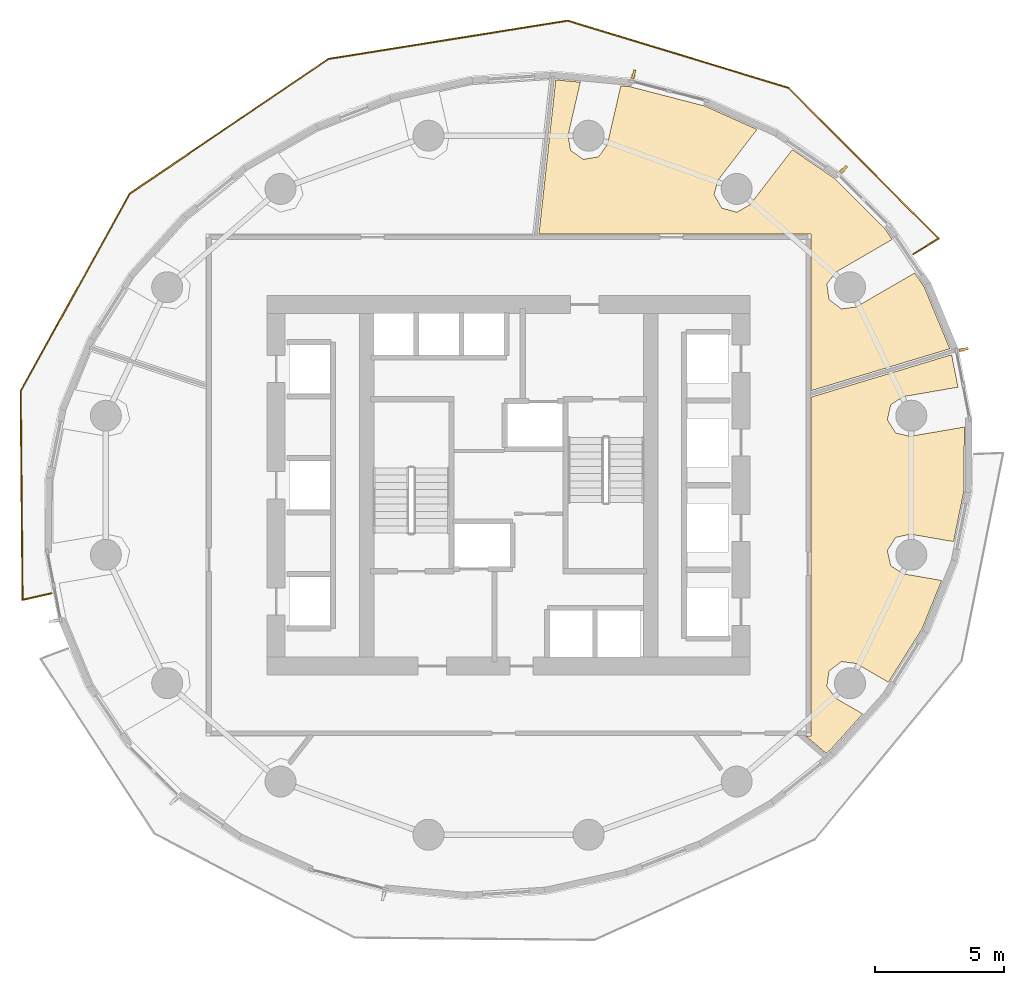
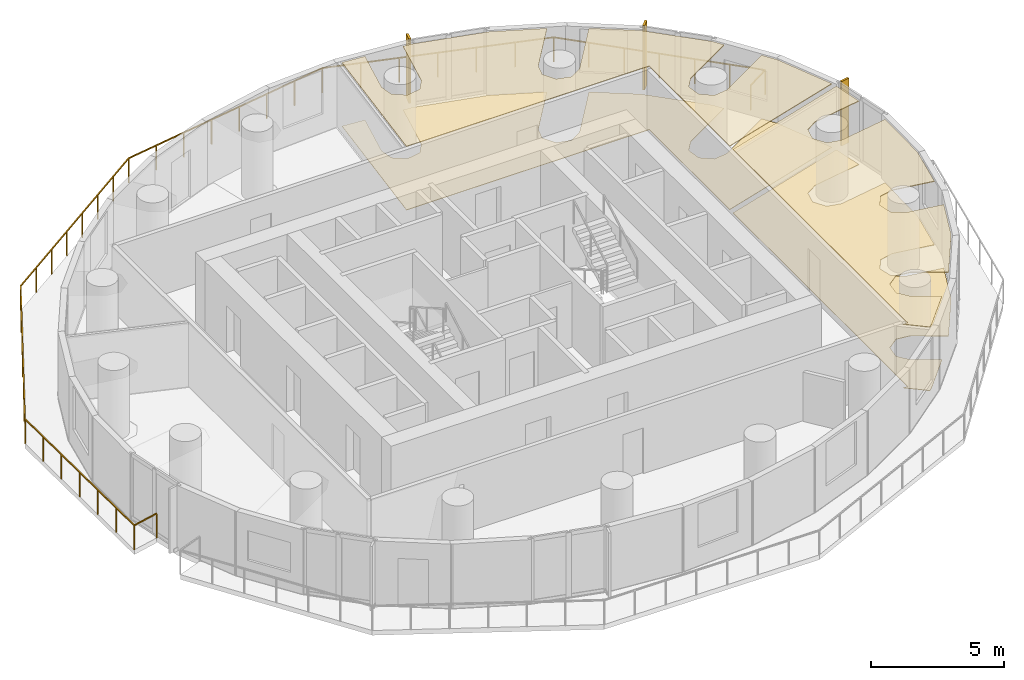
# One storey, part 10 of 10: 4 coverings, 3 shading devices, 1 railing.
"""IFC4 building model written with IfcOpenShell, lengths in metres."""

from ifc_helpers import new_model, si_unit, direction, frame, origin, origin_2d, place, context, subcontext, project, spatial, polyline, rectangle, outline, extrude, material, layer, layer_set, type_object, element, save


model = new_model("IFC4")

# Units and contexts
model_context = context("Model", 3, precision=1e-05, world=origin(), true_north=direction((0.0, 1.0)))
body_context = subcontext(model_context, "Body", "Model", "MODEL_VIEW")
ifc_project = project(units=[si_unit("LENGTHUNIT", "METRE"), si_unit("AREAUNIT", "SQUARE_METRE"), si_unit("VOLUMEUNIT", "CUBIC_METRE"), si_unit("PLANEANGLEUNIT", "RADIAN"), si_unit("MASSUNIT", "GRAM", prefix="KILO")], contexts=[model_context])

# Site, building, storey
site_placement = place(None, origin())
site = spatial("IfcSite", under=ifc_project, at=site_placement, CompositionType="ELEMENT")
building_placement = place(site_placement, origin())
building = spatial("IfcBuilding", under=site, at=building_placement, Name="Veldorim Arch Residences", CompositionType="ELEMENT")
storey_placement = place(building_placement, frame((0.0, 0.0, 70.8798828125)))
storey = spatial("IfcBuildingStorey", under=building, at=storey_placement, Name="L20", CompositionType="ELEMENT", Elevation=70.8798828125)

# Railing
ifc_material_1 = material(Name="Aluminium", Category="aluminium")
railing_type = type_object("IfcRailingType", Name="Balcony & Terrace Laminated Glass Balustrade 1150", PredefinedType="BALUSTRADE", material=ifc_material_1)
railing_placement = place(storey_placement, frame((47.677490234375, 32.951416015625, 0.0)))
element("IfcRailing", 1, at=railing_placement, inside=storey, type_object=railing_type, Name="L20 crescent balcony safety balustrade A", PredefinedType="BALUSTRADE", context=body_context, shape_type="SweptSolid", body=[
    extrude(rectangle(XDim=0.048095703125, YDim=0.048095703125, at=origin_2d()), frame((0.0, 0.0, 1.1259765625), z_axis=(0.8517457759, 0.523955277897, 0.0), x_axis=(-0.523955277897, 0.8517457759, 0.0)), (0.0, 0.0, 1.0), 1.14990234375),
    extrude(rectangle(XDim=0.048095703125, YDim=0.048095703125, at=origin_2d()), frame((0.9794921875, 0.6025390625, 1.1259765625), z_axis=(-0.705905696487, 0.708305829192, 0.0), x_axis=(-0.708305829192, -0.705905696487, 0.0)), (0.0, 0.0, 1.0), 8.2392578125),
    extrude(rectangle(XDim=0.048095703125, YDim=0.048095703125, at=origin_2d()), frame((-4.836669921875, 6.4384765625, 1.1259765625), z_axis=(-0.956697363507, 0.291084445923, 0.0), x_axis=(-0.291084445923, -0.956697363507, 0.0)), (0.0, 0.0, 1.0), 8.938232421875),
    extrude(rectangle(XDim=0.048095703125, YDim=0.048095703125, at=origin_2d()), frame((-13.387939453125, 9.040283203125, 1.1259765625), z_axis=(-0.987436410675, -0.158016881611, 0.0), x_axis=(0.158016881611, -0.987436410675, 0.0)), (0.0, 0.0, 1.0), 9.384521484375),
    extrude(rectangle(XDim=0.048095703125, YDim=0.048095703125, at=origin_2d()), frame((-22.654541015625, 7.557373046875, 1.1259765625), z_axis=(-0.827651413411, -0.561242494719, 0.0), x_axis=(0.561242494719, -0.827651413411, 0.0)), (0.0, 0.0, 1.0), 9.29345703125),
    extrude(rectangle(XDim=0.048095703125, YDim=0.048095703125, at=origin_2d()), frame((-30.34619140625, 2.341552734375, 1.1259765625), z_axis=(-0.483930673945, -0.875106338004, 0.0), x_axis=(0.875106338004, -0.483930673945, 0.0)), (0.0, 0.0, 1.0), 8.7333984375),
    extrude(rectangle(XDim=0.048095703125, YDim=0.048095703125, at=origin_2d()), frame((-34.572509765625, -5.301025390625, 1.1259765625), z_axis=(0.009021417915, -0.999959306181, 0.0), x_axis=(0.999959306181, 0.009021417915, 0.0)), (0.0, 0.0, 1.0), 8.091552734375),
    extrude(rectangle(XDim=0.048095703125, YDim=0.048095703125, at=origin_2d()), frame((-34.49951171875, -13.392333984375, 1.1259765625), z_axis=(0.975218298036, 0.221244821806, 0.0), x_axis=(-0.221244821806, 0.975218298036, 0.0)), (0.0, 0.0, 1.0), 1.14990234375),
    extrude(rectangle(XDim=0.0419921875, YDim=0.0419921875, at=origin_2d()), origin(), (0.0, 0.0, 1.0), 1.101806640625),
    extrude(rectangle(XDim=0.0419921875, YDim=0.0419921875, at=origin_2d()), frame((0.9794921875, 0.6025390625, 0.0)), (0.0, 0.0, 1.0), 1.101806640625),
    extrude(rectangle(XDim=0.0419921875, YDim=0.0419921875, at=origin_2d()), frame((0.01025390625, 1.5751953125, 0.0)), (0.0, 0.0, 1.0), 1.101806640625),
    extrude(rectangle(XDim=0.0419921875, YDim=0.0419921875, at=origin_2d()), frame((-0.959228515625, 2.5478515625, 0.0)), (0.0, 0.0, 1.0), 1.101806640625),
    extrude(rectangle(XDim=0.0419921875, YDim=0.0419921875, at=origin_2d()), frame((-1.9287109375, 3.5205078125, 0.0)), (0.0, 0.0, 1.0), 1.101806640625),
    extrude(rectangle(XDim=0.0419921875, YDim=0.0419921875, at=origin_2d()), frame((-2.89794921875, 4.4931640625, 0.0)), (0.0, 0.0, 1.0), 1.101806640625),
    extrude(rectangle(XDim=0.0419921875, YDim=0.0419921875, at=origin_2d()), frame((-3.8671875, 5.4658203125, 0.0)), (0.0, 0.0, 1.0), 1.101806640625),
    extrude(rectangle(XDim=0.0419921875, YDim=0.0419921875, at=origin_2d()), frame((-4.836669921875, 6.4384765625, 0.0)), (0.0, 0.0, 1.0), 1.101806640625),
    extrude(rectangle(XDim=0.0419921875, YDim=0.0419921875, at=origin_2d()), frame((-6.261962890625, 6.8720703125, 0.0)), (0.0, 0.0, 1.0), 1.101806640625),
    extrude(rectangle(XDim=0.0419921875, YDim=0.0419921875, at=origin_2d()), frame((-7.68701171875, 7.3056640625, 0.0)), (0.0, 0.0, 1.0), 1.101806640625),
    extrude(rectangle(XDim=0.0419921875, YDim=0.0419921875, at=origin_2d()), frame((-9.1123046875, 7.7392578125, 0.0)), (0.0, 0.0, 1.0), 1.101806640625),
    extrude(rectangle(XDim=0.0419921875, YDim=0.0419921875, at=origin_2d()), frame((-10.53759765625, 8.173095703125, 0.0)), (0.0, 0.0, 1.0), 1.101806640625),
    extrude(rectangle(XDim=0.0419921875, YDim=0.0419921875, at=origin_2d()), frame((-11.962646484375, 8.606689453125, 0.0)), (0.0, 0.0, 1.0), 1.101806640625),
    extrude(rectangle(XDim=0.0419921875, YDim=0.0419921875, at=origin_2d()), frame((-13.387939453125, 9.040283203125, 0.0)), (0.0, 0.0, 1.0), 1.101806640625),
    extrude(rectangle(XDim=0.0419921875, YDim=0.0419921875, at=origin_2d()), frame((-14.711669921875, 8.828369140625, 0.0)), (0.0, 0.0, 1.0), 1.101806640625),
    extrude(rectangle(XDim=0.0419921875, YDim=0.0419921875, at=origin_2d()), frame((-16.03564453125, 8.61669921875, 0.0)), (0.0, 0.0, 1.0), 1.101806640625),
    extrude(rectangle(XDim=0.0419921875, YDim=0.0419921875, at=origin_2d()), frame((-17.359375, 8.40478515625, 0.0)), (0.0, 0.0, 1.0), 1.101806640625),
    extrude(rectangle(XDim=0.0419921875, YDim=0.0419921875, at=origin_2d()), frame((-18.68310546875, 8.19287109375, 0.0)), (0.0, 0.0, 1.0), 1.101806640625),
    extrude(rectangle(XDim=0.0419921875, YDim=0.0419921875, at=origin_2d()), frame((-20.0068359375, 7.98095703125, 0.0)), (0.0, 0.0, 1.0), 1.101806640625),
    extrude(rectangle(XDim=0.0419921875, YDim=0.0419921875, at=origin_2d()), frame((-21.330810546875, 7.769287109375, 0.0)), (0.0, 0.0, 1.0), 1.101806640625),
    extrude(rectangle(XDim=0.0419921875, YDim=0.0419921875, at=origin_2d()), frame((-22.654541015625, 7.557373046875, 0.0)), (0.0, 0.0, 1.0), 1.101806640625),
    extrude(rectangle(XDim=0.0419921875, YDim=0.0419921875, at=origin_2d()), frame((-23.75341796875, 6.812255859375, 0.0)), (0.0, 0.0, 1.0), 1.101806640625),
    extrude(rectangle(XDim=0.0419921875, YDim=0.0419921875, at=origin_2d()), frame((-24.85205078125, 6.067138671875, 0.0)), (0.0, 0.0, 1.0), 1.101806640625),
    extrude(rectangle(XDim=0.0419921875, YDim=0.0419921875, at=origin_2d()), frame((-25.950927734375, 5.322021484375, 0.0)), (0.0, 0.0, 1.0), 1.101806640625),
    extrude(rectangle(XDim=0.0419921875, YDim=0.0419921875, at=origin_2d()), frame((-27.0498046875, 4.576904296875, 0.0)), (0.0, 0.0, 1.0), 1.101806640625),
    extrude(rectangle(XDim=0.0419921875, YDim=0.0419921875, at=origin_2d()), frame((-28.148681640625, 3.831787109375, 0.0)), (0.0, 0.0, 1.0), 1.101806640625),
    extrude(rectangle(XDim=0.0419921875, YDim=0.0419921875, at=origin_2d()), frame((-29.247314453125, 3.086669921875, 0.0)), (0.0, 0.0, 1.0), 1.101806640625),
    extrude(rectangle(XDim=0.0419921875, YDim=0.0419921875, at=origin_2d()), frame((-30.34619140625, 2.341552734375, 0.0)), (0.0, 0.0, 1.0), 1.101806640625),
    extrude(rectangle(XDim=0.0419921875, YDim=0.0419921875, at=origin_2d()), frame((-31.050537109375, 1.06787109375, 0.0)), (0.0, 0.0, 1.0), 1.101806640625),
    extrude(rectangle(XDim=0.0419921875, YDim=0.0419921875, at=origin_2d()), frame((-31.7548828125, -0.2060546875, 0.0)), (0.0, 0.0, 1.0), 1.101806640625),
    extrude(rectangle(XDim=0.0419921875, YDim=0.0419921875, at=origin_2d()), frame((-32.45947265625, -1.479736328125, 0.0)), (0.0, 0.0, 1.0), 1.101806640625),
    extrude(rectangle(XDim=0.0419921875, YDim=0.0419921875, at=origin_2d()), frame((-33.163818359375, -2.75341796875, 0.0)), (0.0, 0.0, 1.0), 1.101806640625),
    extrude(rectangle(XDim=0.0419921875, YDim=0.0419921875, at=origin_2d()), frame((-33.8681640625, -4.02734375, 0.0)), (0.0, 0.0, 1.0), 1.101806640625),
    extrude(rectangle(XDim=0.0419921875, YDim=0.0419921875, at=origin_2d()), frame((-34.572509765625, -5.301025390625, 0.0)), (0.0, 0.0, 1.0), 1.101806640625),
    extrude(rectangle(XDim=0.0419921875, YDim=0.0419921875, at=origin_2d()), frame((-34.560302734375, -6.649658203125, 0.0)), (0.0, 0.0, 1.0), 1.101806640625),
    extrude(rectangle(XDim=0.0419921875, YDim=0.0419921875, at=origin_2d()), frame((-34.548095703125, -7.998046875, 0.0)), (0.0, 0.0, 1.0), 1.101806640625),
    extrude(rectangle(XDim=0.0419921875, YDim=0.0419921875, at=origin_2d()), frame((-34.5361328125, -9.3466796875, 0.0)), (0.0, 0.0, 1.0), 1.101806640625),
    extrude(rectangle(XDim=0.0419921875, YDim=0.0419921875, at=origin_2d()), frame((-34.52392578125, -10.6953125, 0.0)), (0.0, 0.0, 1.0), 1.101806640625),
    extrude(rectangle(XDim=0.0419921875, YDim=0.0419921875, at=origin_2d()), frame((-34.51171875, -12.043701171875, 0.0)), (0.0, 0.0, 1.0), 1.101806640625),
    extrude(rectangle(XDim=0.0419921875, YDim=0.0419921875, at=origin_2d()), frame((-34.49951171875, -13.392333984375, 0.0)), (0.0, 0.0, 1.0), 1.101806640625),
    extrude(rectangle(XDim=0.0419921875, YDim=0.0419921875, at=origin_2d()), frame((-33.378173828125, -13.137939453125, 0.0)), (0.0, 0.0, 1.0), 1.101806640625),
])

# Coverings
ifc_material_2 = material(Name="Acoustic Gypsum & Mineral Fibre", Category="gypsum")
ifc_layer_1 = layer(ifc_material_2, 0.034912109375, Name="Perforated Acoustic Mineral-Fibre Ceiling 35")
ifc_layer_set_1 = layer_set([ifc_layer_1], Name="Acoustic Gypsum & Mineral Fibre")
covering_type_1 = type_object("IfcCoveringType", Name="Perforated Acoustic Mineral-Fibre Ceiling 35", PredefinedType="CEILING", material=ifc_layer_set_1)
covering_1_placement = place(storey_placement, frame((0.0, 0.0, 2.905029296875)))
element("IfcCovering", 2, at=covering_1_placement, inside=storey, type_object=covering_type_1, Name="L20 acoustic suspended ceiling 01", PredefinedType="CEILING", context=body_context, shape_type="SweptSolid", body=[
    extrude(outline(polyline([(34.399169921875, 36.968994140625), (34.891845703125, 36.61865234375), (35.488037109375, 36.719482421875), (35.8232421875, 37.191162109375), (36.3447265625, 39.4658203125), (36.705078125, 39.432861328125), (39.6015625, 38.68408203125), (41.622314453125, 37.777587890625), (40.109619140625, 35.812255859375), (39.958740234375, 35.253662109375), (40.26025390625, 34.7294921875), (40.843994140625, 34.572021484375), (41.345703125, 34.860595703125), (42.98876953125, 36.9951171875), (44.61328125, 35.886474609375), (46.577880859375, 33.9248046875), (46.853515625, 33.515625), (44.6787109375, 32.25439453125), (44.327392578125, 31.794677734375), (44.4072265625, 31.1953125), (44.8876953125, 30.828369140625), (45.461181640625, 30.90478515625), (47.726806640625, 32.21875), (48.099853515625, 31.664306640625), (49.08837890625, 29.28466796875), (43.719970703125, 27.663818359375), (43.719970703125, 33.719970703125), (33.176513671875, 33.719970703125), (33.825927734375, 39.69677734375), (34.777099609375, 39.609619140625), (34.302734375, 37.53955078125), (34.399169921875, 36.968994140625)])), origin(), (0.0, 0.0, 1.0), 0.03515625),
])
covering_2_placement = place(storey_placement, frame((0.0, 0.0, 2.905029296875)))
element("IfcCovering", 3, at=covering_2_placement, inside=storey, type_object=covering_type_1, Name="L20 acoustic suspended ceiling 04", PredefinedType="CEILING", context=body_context, shape_type="SweptSolid", body=[
    extrude(outline(polyline([(46.80126953125, 20.8779296875), (47.29052734375, 20.568603515625), (48.772705078125, 20.31298828125), (48.014404296875, 18.444580078125), (46.70751953125, 16.372314453125), (45.461181640625, 17.09521484375), (44.8876953125, 17.171630859375), (44.4072265625, 16.8046875), (44.327392578125, 16.205322265625), (44.6787109375, 15.74560546875), (45.712646484375, 15.14599609375), (44.45947265625, 13.74951171875), (44.296875, 13.618408203125), (43.52490234375, 14.280029296875), (43.719970703125, 14.280029296875), (43.719970703125, 27.4130859375), (49.15771484375, 29.054931640625), (49.4033203125, 27.7958984375), (47.29052734375, 27.431396484375), (46.80126953125, 27.1220703125), (46.668212890625, 26.5322265625), (46.9912109375, 26.021240234375), (47.555908203125, 25.89404296875), (49.649658203125, 26.255615234375), (49.634521484375, 23.80078125), (49.23291015625, 21.81640625), (47.555908203125, 22.10595703125), (46.9912109375, 21.978759765625), (46.668212890625, 21.4677734375), (46.80126953125, 20.8779296875)])), origin(), (0.0, 0.0, 1.0), 0.03515625),
])
ifc_material_3 = material(Name="Porcelain Ceramic Tile", Category="ceramic")
ifc_layer_2 = layer(ifc_material_3, 0.02001953125, Name="Slip-Resistant Porcelain & Vinyl Floor Finish 20")
ifc_layer_set_2 = layer_set([ifc_layer_2], Name="Porcelain Ceramic Tile")
covering_type_2 = type_object("IfcCoveringType", Name="Slip-Resistant Porcelain & Vinyl Floor Finish 20", PredefinedType="FLOORING", material=ifc_layer_set_2)
covering_3_placement = place(storey_placement, origin())
element("IfcCovering", 4, at=covering_3_placement, inside=storey, type_object=covering_type_2, Name="L20 porcelain floor finish 01", PredefinedType="FLOORING", context=body_context, shape_type="SweptSolid", body=[
    extrude(outline(polyline([(34.399169921875, 36.968994140625), (34.891845703125, 36.61865234375), (35.488037109375, 36.719482421875), (35.8232421875, 37.191162109375), (36.3447265625, 39.4658203125), (36.705078125, 39.432861328125), (39.6015625, 38.68408203125), (41.622314453125, 37.777587890625), (40.109619140625, 35.812255859375), (39.958740234375, 35.253662109375), (40.26025390625, 34.7294921875), (40.843994140625, 34.572021484375), (41.345703125, 34.860595703125), (42.98876953125, 36.9951171875), (44.61328125, 35.886474609375), (46.577880859375, 33.9248046875), (46.853515625, 33.515625), (44.6787109375, 32.25439453125), (44.327392578125, 31.794677734375), (44.4072265625, 31.1953125), (44.8876953125, 30.828369140625), (45.461181640625, 30.90478515625), (47.726806640625, 32.21875), (48.099853515625, 31.664306640625), (49.08837890625, 29.28466796875), (43.719970703125, 27.663818359375), (43.719970703125, 33.719970703125), (33.176513671875, 33.719970703125), (33.825927734375, 39.69677734375), (34.777099609375, 39.609619140625), (34.302734375, 37.53955078125), (34.399169921875, 36.968994140625)])), origin(), (0.0, 0.0, 1.0), 0.02001953125),
])
covering_4_placement = place(storey_placement, origin())
element("IfcCovering", 5, at=covering_4_placement, inside=storey, type_object=covering_type_2, Name="L20 porcelain floor finish 04", PredefinedType="FLOORING", context=body_context, shape_type="SweptSolid", body=[
    extrude(outline(polyline([(46.80126953125, 20.8779296875), (47.29052734375, 20.568603515625), (48.772705078125, 20.31298828125), (48.014404296875, 18.444580078125), (46.70751953125, 16.372314453125), (45.461181640625, 17.09521484375), (44.8876953125, 17.171630859375), (44.4072265625, 16.8046875), (44.327392578125, 16.205322265625), (44.6787109375, 15.74560546875), (45.712646484375, 15.14599609375), (44.45947265625, 13.74951171875), (44.296875, 13.618408203125), (43.52490234375, 14.280029296875), (43.719970703125, 14.280029296875), (43.719970703125, 27.4130859375), (49.15771484375, 29.054931640625), (49.4033203125, 27.7958984375), (47.29052734375, 27.431396484375), (46.80126953125, 27.1220703125), (46.668212890625, 26.5322265625), (46.9912109375, 26.021240234375), (47.555908203125, 25.89404296875), (49.649658203125, 26.255615234375), (49.634521484375, 23.80078125), (49.23291015625, 21.81640625), (47.555908203125, 22.10595703125), (46.9912109375, 21.978759765625), (46.668212890625, 21.4677734375), (46.80126953125, 20.8779296875)])), origin(), (0.0, 0.0, 1.0), 0.02001953125),
])

# Shading devices
ifc_material_4 = material(Name="Terracotta Ceramic", Category="masonry")
ifc_layer_3 = layer(ifc_material_4, 0.090087890625, Name="Vertical Extruded Terracotta Baguette Sun-Shading Fin")
ifc_layer_set_3 = layer_set([ifc_layer_3], Name="Terracotta Ceramic")
shading_device_type = type_object("IfcShadingDeviceType", Name="Vertical Extruded Terracotta Baguette Sun-Shading Fin", PredefinedType="USERDEFINED", material=ifc_layer_set_3)
for number, where, z_axis, x_axis, name in (
    (6, (44.9716796875, 36.22802734375, 0.000244140625), (0.0, 0.0, 1.0), (0.707600262489, -0.706612955249, 0.0), "L20 vertical terracotta sun-shading fin 03"),
    (7, (36.84423828125, 39.908203125, 0.000244140625), (0.0, 0.0, 1.0), (0.968147640378, -0.250380004054, 0.0), "L20 vertical terracotta sun-shading fin 06"),
    (8, (49.622314453125, 29.258544921875, 0.000244140625), (0.0, 0.0, 1.0), (0.191665553932, -0.981460297432, 0.0), "L20 vertical terracotta sun-shading fin 36"),
):
    element("IfcShadingDevice", number, at=place(storey_placement, frame(where, z_axis=z_axis, x_axis=x_axis)), inside=storey, type_object=shading_device_type, Name=name, ObjectType="FIN", PredefinedType="USERDEFINED", context=body_context, shape_type="SweptSolid", body=[
        extrude(rectangle(XDim=0.090087890625, YDim=0.360107421875, at=origin_2d()), origin(), (0.0, 0.0, 1.0), 2.9599609375),
    ])

save(model, "model.ifc")
